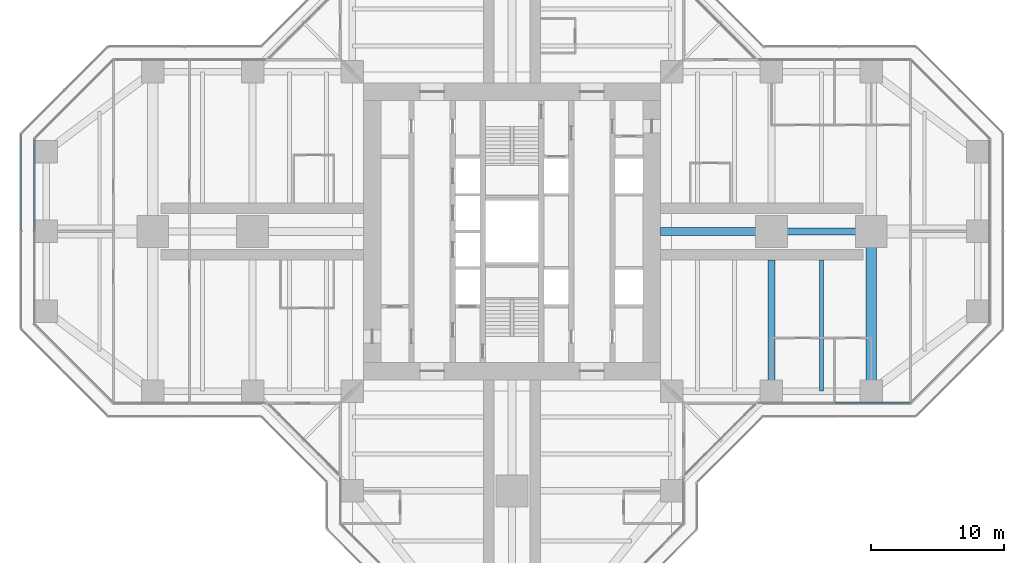
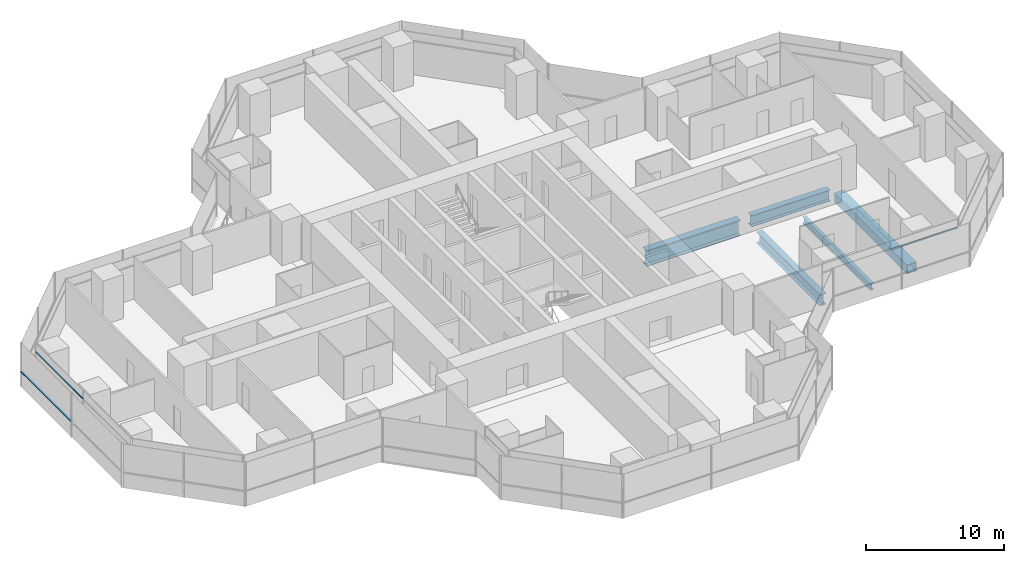
# One storey, part 6 of 20: 5 beams, 3 members, 3 elements without a shape of their own.
"""IFC4 building model written with IfcOpenShell, lengths in metres."""

from ifc_helpers import new_model, si_unit, direction, frame, origin, origin_2d, place, context, subcontext, project, spatial, rectangle, hollow_rectangle, i_section, extrude, material, material_profile, profile_set, type_object, element, aggregate, save


model = new_model("IFC4")

# Units and contexts
model_context = context("Model", 3, precision=1e-05, world=origin(), true_north=direction((0.0, 1.0)))
body_context = subcontext(model_context, "Body", "Model", "MODEL_VIEW")
ifc_project = project(units=[si_unit("LENGTHUNIT", "METRE"), si_unit("AREAUNIT", "SQUARE_METRE"), si_unit("VOLUMEUNIT", "CUBIC_METRE"), si_unit("PLANEANGLEUNIT", "RADIAN"), si_unit("MASSUNIT", "GRAM", prefix="KILO")], contexts=[model_context])

# Site, building, storey
site_placement = place(None, origin())
site = spatial("IfcSite", under=ifc_project, at=site_placement, CompositionType="ELEMENT")
building_placement = place(site_placement, origin())
building = spatial("IfcBuilding", under=site, at=building_placement, Name="Mizan Broadcast Tower", CompositionType="ELEMENT")
storey_placement = place(building_placement, frame((0.0, 0.0, 151.5)))
storey = spatial("IfcBuildingStorey", under=building, at=storey_placement, Name="L34", CompositionType="ELEMENT", Elevation=151.5)

# Beams
ifc_material_1 = material(Name="Steel S460", Category="steel")
ifc_material_profile_1 = material_profile(ifc_material_1, hollow_rectangle(XDim=0.800048828125, YDim=0.800048828125, WallThickness=0.050048828125, at=origin_2d()), Name="BOX 800x800x50")
ifc_profile_set_1 = profile_set([ifc_material_profile_1], Name="Steel S460")
beam_type_1 = type_object("IfcBeamType", Name="GIRDER BOX 800x800x50", PredefinedType="BEAM", material=ifc_profile_set_1)
beam_1_placement = place(storey_placement, frame((27.0, -11.280029296875, -0.530029296875), z_axis=(0.0, 1.0, 0.0), x_axis=(-1.0, 0.0, 0.0)))
element("IfcBeam", 1, at=beam_1_placement, inside=storey, type_object=beam_type_1, Name="Girder BOX 800x800x50 L34 east arm", PredefinedType="BEAM", context=body_context, shape_type="SweptSolid", body=[
    extrude(hollow_rectangle(XDim=0.800048828125, YDim=0.800048828125, WallThickness=0.050048828125, at=origin_2d()), origin(), (0.0, 0.0, 1.0), 10.56005859375),
])
ifc_material_2 = material(Name="Steel S460", Category="steel")
ifc_material_profile_2 = material_profile(ifc_material_2, i_section(OverallWidth=0.5, OverallDepth=1.0, WebThickness=0.02490234375, FlangeThickness=0.050048828125, at=origin_2d()), Name="WPG 1000x500")
ifc_profile_set_2 = profile_set([ifc_material_profile_2], Name="Steel S460")
beam_type_2 = type_object("IfcBeamType", Name="GIRDER WPG 1000x500", PredefinedType="BEAM", material=ifc_profile_set_2)
beam_2_placement = place(storey_placement, frame((19.949951171875, 0.0, -0.6298828125), z_axis=(1.0, 0.0, 0.0), x_axis=(0.0, 1.0, 0.0)))
element("IfcBeam", 2, at=beam_2_placement, inside=storey, type_object=beam_type_2, Name="Girder WPG 1000x500 L34 east arm", PredefinedType="BEAM", context=body_context, shape_type="SweptSolid", body=[
    extrude(i_section(OverallWidth=0.5, OverallDepth=1.0, WebThickness=0.02490234375, FlangeThickness=0.050048828125, at=origin_2d()), origin(), (0.0, 0.0, 1.0), 6.60009765625),
])
beam_3_placement = place(storey_placement, frame((19.5, -11.408935546875, -0.6298828125), z_axis=(0.0, 1.0, 0.0), x_axis=(-1.0, 0.0, 0.0)))
element("IfcBeam", 3, at=beam_3_placement, inside=storey, type_object=beam_type_2, Name="Girder WPG 1000x500 L34 east arm", PredefinedType="BEAM", context=body_context, shape_type="SweptSolid", body=[
    extrude(i_section(OverallWidth=0.5, OverallDepth=1.0, WebThickness=0.02490234375, FlangeThickness=0.050048828125, at=origin_2d()), origin(), (0.0, 0.0, 1.0), 9.259033203125),
])
ifc_material_3 = material(Name="Steel S460", Category="steel")
ifc_material_profile_3 = material_profile(ifc_material_3, i_section(OverallWidth=0.60009765625, OverallDepth=1.39990234375, WebThickness=0.02490234375, FlangeThickness=0.06005859375, at=origin_2d()), Name="WPG 1400x600")
ifc_profile_set_3 = profile_set([ifc_material_profile_3], Name="Steel S460")
beam_type_3 = type_object("IfcBeamType", Name="GIRDER WPG 1400x600", PredefinedType="BEAM", material=ifc_profile_set_3)
beam_4_placement = place(storey_placement, frame((11.14990234375, 0.0, -0.830078125), z_axis=(1.0, 0.0, 0.0), x_axis=(0.0, 1.0, 0.0)))
element("IfcBeam", 4, at=beam_4_placement, inside=storey, type_object=beam_type_3, Name="Girder WPG 1400x600 L34 east arm", PredefinedType="BEAM", context=body_context, shape_type="SweptSolid", body=[
    extrude(i_section(OverallWidth=0.60009765625, OverallDepth=1.39990234375, WebThickness=0.02490234375, FlangeThickness=0.06005859375, at=origin_2d()), origin(), (0.0, 0.0, 1.0), 7.84912109375),
])

# Curtain wall, member
ifc_material_4 = material(Name="Aluminium framed glazing", Category="aluminium")
curtain_wall_type_1 = type_object("IfcCurtainWallType", Name="INNER SKIN MID ZONE", PredefinedType="USERDEFINED", material=ifc_material_4)
curtain_wall_1_placement = place(storey_placement, origin())
curtain_wall_1 = element("IfcCurtainWall", 5, at=curtain_wall_1_placement, inside=storey, type_object=curtain_wall_type_1, Name="Inner skin mid zone L34 E side", ObjectType="INNER SKIN MID ZONE", PredefinedType="USERDEFINED")
ifc_material_5 = material(Name="Aluminium, pale anodised", Category="aluminium")
ifc_material_profile_4 = material_profile(ifc_material_5, rectangle(XDim=0.1201171875, YDim=0.06005859375, at=origin_2d()), Name="TRANSOM 120x60")
ifc_profile_set_4 = profile_set([ifc_material_profile_4], Name="Aluminium, pale anodised")
member_type_1 = type_object("IfcMemberType", Name="INNER SKIN TRANSOM 60x120", PredefinedType="USERDEFINED", material=ifc_profile_set_4)
member_1_placement = place(storey_placement, frame((24.25927734375, -12.89990234375, 3.030029296875), z_axis=(1.0, 0.0, 0.0), x_axis=(0.0, 1.0, 0.0)))
member_1 = element("IfcMember", 6, at=member_1_placement, type_object=member_type_1, Name="Inner skin mid zone L34 E side transom 2.1", ObjectType="TRANSOM", PredefinedType="USERDEFINED", context=body_context, shape_type="SweptSolid", body=[
    extrude(rectangle(XDim=0.1201171875, YDim=0.06005859375, at=origin_2d()), origin(), (0.0, 0.0, 1.0), 5.639404296875),
])
aggregate(curtain_wall_1, [member_1])

curtain_wall_2_placement = place(storey_placement, origin())
curtain_wall_2 = element("IfcCurtainWall", 7, at=curtain_wall_2_placement, inside=storey, type_object=curtain_wall_type_1, Name="Inner skin mid zone L34 W end", ObjectType="INNER SKIN MID ZONE", PredefinedType="USERDEFINED")
member_2_placement = place(storey_placement, frame((-35.89990234375, 6.898681640625, 3.030029296875), z_axis=(0.0, -1.0, 0.0), x_axis=(1.0, 0.0, 0.0)))
member_2 = element("IfcMember", 8, at=member_2_placement, type_object=member_type_1, Name="Inner skin mid zone L34 W end transom 1.1", ObjectType="TRANSOM", PredefinedType="USERDEFINED", context=body_context, shape_type="SweptSolid", body=[
    extrude(rectangle(XDim=0.1201171875, YDim=0.06005859375, at=origin_2d()), origin(), (0.0, 0.0, 1.0), 6.86865234375),
])
aggregate(curtain_wall_2, [member_2])

ifc_material_6 = material(Name="Aluminium framed glazing", Category="aluminium")
curtain_wall_type_2 = type_object("IfcCurtainWallType", Name="OUTER SKIN", PredefinedType="USERDEFINED", material=ifc_material_6)
curtain_wall_3_placement = place(storey_placement, origin())
curtain_wall_3 = element("IfcCurtainWall", 9, at=curtain_wall_3_placement, inside=storey, type_object=curtain_wall_type_2, Name="Outer skin L34 W end", ObjectType="OUTER SKIN", PredefinedType="USERDEFINED")
ifc_material_7 = material(Name="Aluminium, pale anodised", Category="aluminium")
ifc_material_profile_5 = material_profile(ifc_material_7, rectangle(XDim=0.159912109375, YDim=0.06005859375, at=origin_2d()), Name="TRANSOM 160x60")
ifc_profile_set_5 = profile_set([ifc_material_profile_5], Name="Aluminium, pale anodised")
member_type_2 = type_object("IfcMemberType", Name="OUTER SKIN TRANSOM 60x160", PredefinedType="USERDEFINED", material=ifc_profile_set_5)
member_3_placement = place(storey_placement, frame((-36.89990234375, 7.292724609375, 1.39990234375), z_axis=(0.0, -1.0, 0.0), x_axis=(1.0, 0.0, 0.0)))
member_3 = element("IfcMember", 10, at=member_3_placement, type_object=member_type_2, Name="Outer skin L34 W end transom 1.1", ObjectType="TRANSOM", PredefinedType="USERDEFINED", context=body_context, shape_type="SweptSolid", body=[
    extrude(rectangle(XDim=0.159912109375, YDim=0.06005859375, at=origin_2d()), origin(), (0.0, 0.0, 1.0), 7.252685546875),
])
aggregate(curtain_wall_3, [member_3])

# Beam
ifc_material_8 = material(Name="Steel S355", Category="steel")
ifc_material_profile_6 = material_profile(ifc_material_8, i_section(OverallWidth=0.300048828125, OverallDepth=0.590087890625, WebThickness=0.012939453125, FlangeThickness=0.02490234375, FilletRadius=0.027099609375, at=origin_2d()), Name="HEA 600")
ifc_profile_set_6 = profile_set([ifc_material_profile_6], Name="Steel S355")
beam_type_4 = type_object("IfcBeamType", Name="SECONDARY BEAM HEA 600", PredefinedType="JOIST", material=ifc_profile_set_6)
beam_5_placement = place(storey_placement, frame((23.25, -12.0, -0.425048828125), z_axis=(0.0, 1.0, 0.0), x_axis=(-1.0, 0.0, 0.0)))
element("IfcBeam", 11, at=beam_5_placement, inside=storey, type_object=beam_type_4, Name="Secondary beam HEA 600 L34 east arm", PredefinedType="JOIST", context=body_context, shape_type="SweptSolid", body=[
    extrude(i_section(OverallWidth=0.300048828125, OverallDepth=0.590087890625, WebThickness=0.012939453125, FlangeThickness=0.02490234375, FilletRadius=0.027099609375, at=origin_2d()), origin(), (0.0, 0.0, 1.0), 9.85009765625),
])

save(model, "model.ifc")
